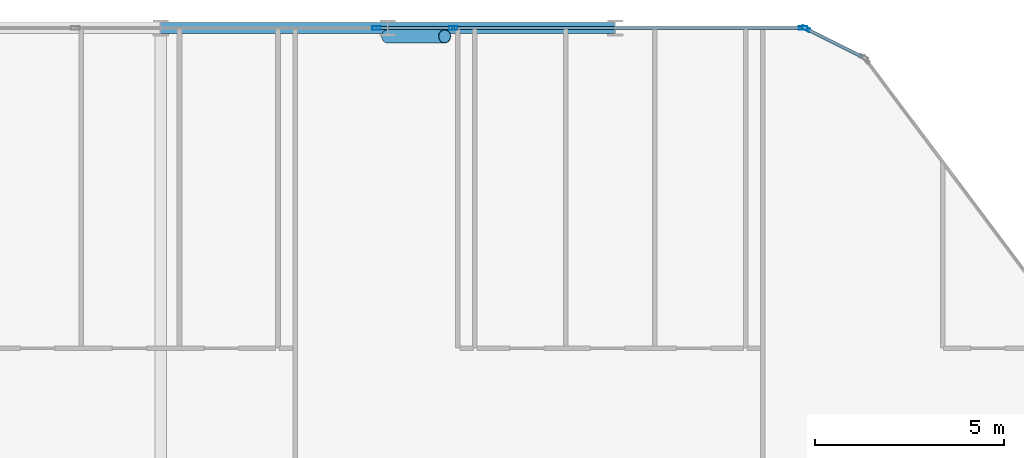
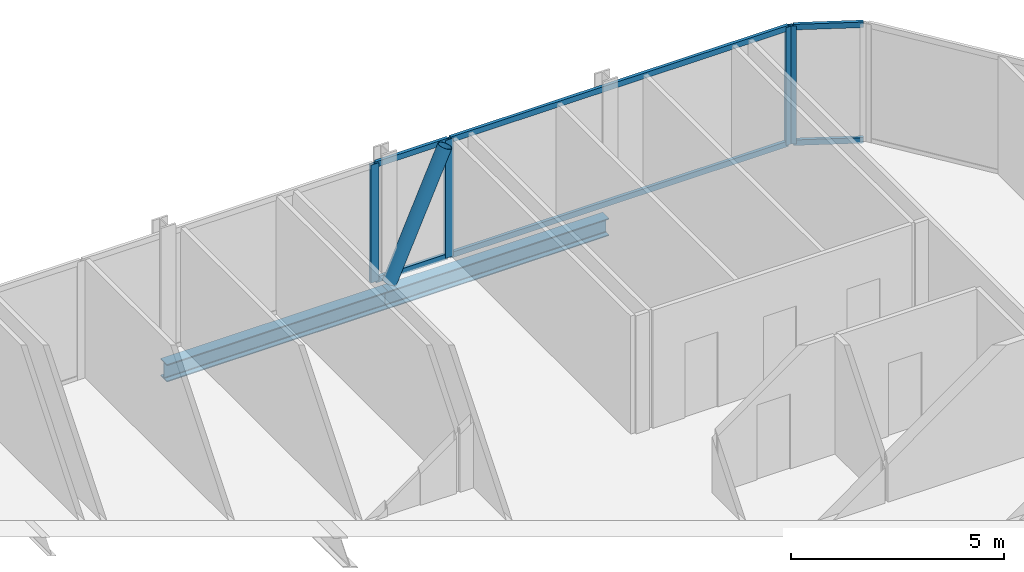
# One storey, part 16 of 33: 11 members, 2 beams, 4 elements without a shape of their own.
"""IFC4 building model written with IfcOpenShell, lengths in metres."""

import ifcopenshell
import ifcopenshell.guid

model = None  # the IFC model being written
_history = None  # IfcOwnerHistory: only IFC2X3 demands one
_inside = {}  # id of a spatial element -> (the spatial element, [elements in it])
_under = {}  # id of a project, library or spatial element -> (it, [spatial elements below it])
_declared = {}  # id of a project -> (the project, [libraries it declares])
_typed = {}  # id of a type object -> (the type object, [elements of that type])
_made_of = {}  # id of a material, layer set ... -> (it, [elements and type objects made of it])


def new_model(schema):
    """Start an empty IFC model of exactly this schema.

    Asked for "IFC4X3", IfcOpenShell would pick the latest addendum, in which some entities
    have other attributes; the version numbers below select the first issue.
    IFC2X3 requires an IfcOwnerHistory on every rooted entity: one is made here for all.
    """
    global model, _history
    if schema == "IFC4X3":
        model = ifcopenshell.file(schema_version=(4, 3, 0, 0))
    else:
        model = ifcopenshell.file(schema=schema)
    _inside.clear()
    _under.clear()
    _declared.clear()
    _typed.clear()
    _made_of.clear()
    _history = None
    if model.schema == "IFC2X3":
        org = make("IfcOrganization", Name="unknown")
        user = make(
            "IfcPersonAndOrganization",
            ThePerson=make("IfcPerson", FamilyName="unknown"),
            TheOrganization=org,
        )
        app = make(
            "IfcApplication",
            ApplicationDeveloper=org,
            Version="unknown",
            ApplicationFullName="unknown",
            ApplicationIdentifier="unknown",
        )
        _history = make(
            "IfcOwnerHistory",
            OwningUser=user,
            OwningApplication=app,
            ChangeAction="ADDED",
            CreationDate=0,
        )
    return model


def make(cls, **values):
    """One entity of the class cls with the attributes given. An attribute that is None is left unset."""
    return model.create_entity(
        cls, **{name: value for name, value in values.items() if value is not None}
    )


def rooted(cls, **values):
    """An entity with a GlobalId (a new one), such as an element, a storey or a relation."""
    return make(cls, GlobalId=ifcopenshell.guid.new(), OwnerHistory=_history, **values)


def si_unit(unit_type, name, prefix=None):
    """IfcSIUnit, for example si_unit("LENGTHUNIT", "METRE", prefix="MILLI")."""
    return make("IfcSIUnit", UnitType=unit_type, Prefix=prefix, Name=name)


def assignment(units):
    """IfcUnitAssignment: the units of a project."""
    return None if units is None else make("IfcUnitAssignment", Units=units)


def point(xyz):
    """IfcCartesianPoint."""
    return None if xyz is None else make("IfcCartesianPoint", Coordinates=xyz)


def direction(xyz):
    """IfcDirection."""
    return None if xyz is None else make("IfcDirection", DirectionRatios=xyz)


def frame(location, z_axis=None, x_axis=None):
    """IfcAxis2Placement3D, a coordinate frame: its origin and axes. An axis left out is left unset."""
    return make(
        "IfcAxis2Placement3D",
        Location=point(location),
        Axis=direction(z_axis),
        RefDirection=direction(x_axis),
    )


def frame_2d(location, x_axis=None):
    """IfcAxis2Placement2D, a coordinate frame in the plane: its origin and x axis."""
    return make(
        "IfcAxis2Placement2D", Location=point(location), RefDirection=direction(x_axis)
    )


def origin():
    """The frame at (0, 0, 0) with its axes left unset."""
    return frame((0.0, 0.0, 0.0))


def origin_2d():
    """The frame at (0, 0) in the plane with its x axis left unset."""
    return frame_2d((0.0, 0.0))


def place(relative_to, where):
    """IfcLocalPlacement: puts the frame where relative to a parent placement (None: the world)."""
    return make(
        "IfcLocalPlacement", PlacementRelTo=relative_to, RelativePlacement=where
    )


def context(
    kind, dimensions, precision=None, world=None, true_north=None, identifier=None
):
    """IfcGeometricRepresentationContext, for example the 3D "Model" context."""
    return make(
        "IfcGeometricRepresentationContext",
        ContextIdentifier=identifier,
        ContextType=kind,
        CoordinateSpaceDimension=dimensions,
        Precision=precision,
        WorldCoordinateSystem=world,
        TrueNorth=true_north,
    )


def subcontext(parent, identifier, kind, view, scale=None):
    """IfcGeometricRepresentationSubContext, for example "Body" below "Model"."""
    return make(
        "IfcGeometricRepresentationSubContext",
        ContextIdentifier=identifier,
        ContextType=kind,
        ParentContext=parent,
        TargetScale=scale,
        TargetView=view,
    )


def project(units=None, contexts=None):
    """IfcProject with its units and contexts."""
    return rooted(
        "IfcProject",
        Name="project",
        RepresentationContexts=contexts,
        UnitsInContext=assignment(units),
    )


def spatial(cls, under=None, at=None, **own):
    """A site, building, storey or space (cls), placed at a placement, below another one or the project."""
    s = rooted(cls, ObjectPlacement=at, **own)
    if under is not None:
        _under.setdefault(under.id(), (under, []))[1].append(s)
    return s


def profile(cls, at=None, kind="AREA", **sizes):
    """A parametric profile (cls). Its sizes go by their IFC names, for example OverallWidth=200.0."""
    return make(cls, ProfileType=kind, Position=at, **sizes)


def hollow_rectangle(**sizes):
    """IfcRectangleHollowProfileDef."""
    return profile("IfcRectangleHollowProfileDef", **sizes)


def hollow_circle(**sizes):
    """IfcCircleHollowProfileDef."""
    return profile("IfcCircleHollowProfileDef", **sizes)


def i_section(**sizes):
    """IfcIShapeProfileDef."""
    return profile("IfcIShapeProfileDef", **sizes)


def extrude(swept, where, along, depth):
    """IfcExtrudedAreaSolid: the profile swept, set in the frame where, extruded along a direction by depth."""
    return make(
        "IfcExtrudedAreaSolid",
        SweptArea=swept,
        Position=where,
        ExtrudedDirection=direction(along),
        Depth=depth,
    )


def shape(context_of_items, identifier, shape_type, items):
    """IfcShapeRepresentation: the items that make up one representation, for example the "Body"."""
    return make(
        "IfcShapeRepresentation",
        ContextOfItems=context_of_items,
        RepresentationIdentifier=identifier,
        RepresentationType=shape_type,
        Items=items,
    )


def material(Name=None, Category=None):
    """IfcMaterial."""
    return make("IfcMaterial", Name=Name, Category=Category)


def layer(
    of_material, thickness, ventilated=None, Name=None, Category=None, Priority=None
):
    """IfcMaterialLayer: one layer of a wall or slab, of a material (None: an air gap)."""
    return make(
        "IfcMaterialLayer",
        Material=of_material,
        LayerThickness=thickness,
        IsVentilated=ventilated,
        Name=Name,
        Category=Category,
        Priority=Priority,
    )


def layer_set(layers, Name=None):
    """IfcMaterialLayerSet."""
    return make("IfcMaterialLayerSet", MaterialLayers=layers, LayerSetName=Name)


def material_profile(
    of_material, cross_section, Name=None, Category=None, Priority=None
):
    """IfcMaterialProfile: a cross section and its material."""
    return make(
        "IfcMaterialProfile",
        Name=Name,
        Material=of_material,
        Profile=cross_section,
        Priority=Priority,
        Category=Category,
    )


def profile_set(profiles, Name=None, composite=None):
    """IfcMaterialProfileSet."""
    return make(
        "IfcMaterialProfileSet",
        Name=Name,
        MaterialProfiles=profiles,
        CompositeProfile=composite,
    )


def made_of(thing, what):
    """Note that an element or type object is made of a material, layer set ...; save() writes the relation."""
    if what is not None:
        _made_of.setdefault(what.id(), (what, []))[1].append(thing)
    return thing


def type_object(cls, material=None, **own):
    """A type object (cls), such as IfcWallType, which elements share."""
    return made_of(rooted(cls, **own), material)


def element(
    cls,
    number,
    at=None,
    inside=None,
    cuts=None,
    type_object=None,
    material=None,
    context=None,
    identifier="Body",
    shape_type=None,
    held_by="IfcProductDefinitionShape",
    body=None,
    shapes=None,
    **own,
):
    """One element of the class cls, such as IfcWall. Its Tag is "e" and its number.

    at: its placement. inside: the storey or other place that contains it. cuts: it is an
    opening in that element (IfcRelVoidsElement). A single representation is given by context,
    identifier, shape_type and body (its items); several are given by shapes. held_by: the class
    of the entity that holds the representations. save() writes the other relations.
    """
    e = rooted(cls, Tag="e%d" % number, ObjectPlacement=at, **own)
    if body is not None:
        shapes = [shape(context, identifier, shape_type, body)]
    if shapes is not None:
        e.Representation = make(held_by, Representations=shapes)
    if inside is not None:
        _inside.setdefault(inside.id(), (inside, []))[1].append(e)
    if cuts is not None:
        rooted(
            "IfcRelVoidsElement", RelatingBuildingElement=cuts, RelatedOpeningElement=e
        )
    if type_object is not None:
        _typed.setdefault(type_object.id(), (type_object, []))[1].append(e)
    return made_of(e, material)


def aggregate(whole, parts):
    """IfcRelAggregates: a whole, such as a stair, and the parts it consists of."""
    return rooted("IfcRelAggregates", RelatingObject=whole, RelatedObjects=parts)


def save(model, path):
    """Write the relations noted so far, then the file.

    IfcRelAggregates (storeys below a building ...), IfcRelContainedInSpatialStructure (elements
    in a storey), IfcRelDefinesByType, IfcRelAssociatesMaterial and IfcRelDeclares: one each for
    every whole, place, type object, material and project.
    """
    for whole, parts in _under.values():
        aggregate(whole, parts)
    for where, things in _inside.values():
        rooted(
            "IfcRelContainedInSpatialStructure",
            RelatedElements=things,
            RelatingStructure=where,
        )
    for kind, things in _typed.values():
        rooted("IfcRelDefinesByType", RelatedObjects=things, RelatingType=kind)
    for what, things in _made_of.values():
        rooted("IfcRelAssociatesMaterial", RelatedObjects=things, RelatingMaterial=what)
    for by, libraries in _declared.values():
        rooted("IfcRelDeclares", RelatingContext=by, RelatedDefinitions=libraries)
    model.write(path)


model = new_model("IFC4")

# Units and contexts
model_context = context("Model", 3, precision=1e-05, world=origin(), true_north=direction((0.0, 1.0)))
body_context = subcontext(model_context, "Body", "Model", "MODEL_VIEW")
ifc_project = project(units=[si_unit("LENGTHUNIT", "METRE"), si_unit("AREAUNIT", "SQUARE_METRE"), si_unit("VOLUMEUNIT", "CUBIC_METRE"), si_unit("PLANEANGLEUNIT", "RADIAN"), si_unit("MASSUNIT", "GRAM", prefix="KILO")], contexts=[model_context])

# Site, building, storey
site_placement = place(None, origin())
site = spatial("IfcSite", under=ifc_project, at=site_placement, CompositionType="ELEMENT")
building_placement = place(site_placement, origin())
building = spatial("IfcBuilding", under=site, at=building_placement, Name="Keshet Zoharim Tower", CompositionType="ELEMENT")
storey_placement = place(building_placement, frame((0.0, 0.0, 42.5)))
storey = spatial("IfcBuildingStorey", under=building, at=storey_placement, Name="L09", CompositionType="ELEMENT", Elevation=42.5)

# Beams
ifc_material_1 = material(Name="Steel S355", Category="steel")
ifc_material_profile_1 = material_profile(ifc_material_1, i_section(OverallWidth=0.300048828125, OverallDepth=0.5, WebThickness=0.014404296875, FlangeThickness=0.028076171875, FilletRadius=0.027099609375, at=origin_2d()), Name="HEB500")
ifc_profile_set_1 = profile_set([ifc_material_profile_1], Name="Steel S355")
beam_type = type_object("IfcBeamType", Name="BM-WEB-HB500", PredefinedType="BEAM", material=ifc_profile_set_1)
for number, where, z_axis, x_axis, name in (
    (1, (33.0, 53.89990234375, -0.56494140625), (1.0, 0.0, 0.0), (0.0, 1.0, 0.0), "L09 Primary Girder X-031"),
    (2, (39.0, 53.89990234375, -0.56494140625), (1.0, 0.0, 0.0), (0.0, 1.0, 0.0), "L09 Primary Girder X-032"),
):
    element("IfcBeam", number, at=place(storey_placement, frame(where, z_axis=z_axis, x_axis=x_axis)), inside=storey, type_object=beam_type, Name=name, PredefinedType="BEAM", context=body_context, shape_type="SweptSolid", body=[
        extrude(i_section(OverallWidth=0.300048828125, OverallDepth=0.5, WebThickness=0.014404296875, FlangeThickness=0.028076171875, FilletRadius=0.027099609375, at=origin_2d()), origin(), (0.0, 0.0, 1.0), 6.0),
    ])

# Curtain wall, member
ifc_material_2 = material(Name="Aluminium 6063-T6", Category="aluminium")
ifc_layer = layer(ifc_material_2, 0.169921875)
ifc_layer_set = layer_set([ifc_layer], Name="Aluminium 6063-T6")
curtain_wall_type = type_object("IfcCurtainWallType", Name="CW-SYS-02", PredefinedType="NOTDEFINED", material=ifc_layer_set)
curtain_wall_1_placement = place(storey_placement, origin())
curtain_wall_1 = element("IfcCurtainWall", 3, at=curtain_wall_1_placement, inside=storey, type_object=curtain_wall_type, Name="L09 Unitised Curtain Wall 07 Part 3", PredefinedType="NOTDEFINED")
ifc_material_profile_2 = material_profile(ifc_material_2, hollow_rectangle(XDim=0.090087890625, YDim=0.219970703125, WallThickness=0.0048828125, at=origin_2d()), Name="MUL-90x220")
ifc_profile_set_2 = profile_set([ifc_material_profile_2], Name="Aluminium 6063-T6")
member_type_1 = type_object("IfcMemberType", Name="CWM-M22", PredefinedType="MULLION", material=ifc_profile_set_2)
member_1_placement = place(storey_placement, frame((38.702392578125, 53.89990234375, 0.0), z_axis=(0.0, 0.0, 1.0), x_axis=(0.0, 1.0, 0.0)))
member_1 = element("IfcMember", 4, at=member_1_placement, type_object=member_type_1, Name="CW-02 mullion 3", PredefinedType="MULLION", context=body_context, shape_type="SweptSolid", body=[
    extrude(hollow_rectangle(XDim=0.090087890625, YDim=0.219970703125, WallThickness=0.0048828125, at=origin_2d()), origin(), (0.0, 0.0, 1.0), 3.385009765625),
])
aggregate(curtain_wall_1, [member_1])

curtain_wall_2_placement = place(storey_placement, origin())
curtain_wall_2 = element("IfcCurtainWall", 5, at=curtain_wall_2_placement, inside=storey, type_object=curtain_wall_type, Name="L09 Unitised Curtain Wall 07 Part 4", PredefinedType="NOTDEFINED")
member_2_placement = place(storey_placement, frame((40.7275390625, 53.89990234375, 0.0), z_axis=(0.0, 0.0, 1.0), x_axis=(0.0, 1.0, 0.0)))
member_2 = element("IfcMember", 6, at=member_2_placement, type_object=member_type_1, Name="CW-02 mullion 2", PredefinedType="MULLION", context=body_context, shape_type="SweptSolid", body=[
    extrude(hollow_rectangle(XDim=0.090087890625, YDim=0.219970703125, WallThickness=0.0048828125, at=origin_2d()), origin(), (0.0, 0.0, 1.0), 3.385009765625),
])

curtain_wall_3_placement = place(storey_placement, origin())
curtain_wall_3 = element("IfcCurtainWall", 7, at=curtain_wall_3_placement, inside=storey, type_object=curtain_wall_type, Name="L09 Unitised Curtain Wall 07 Part 5", PredefinedType="NOTDEFINED")
member_3_placement = place(storey_placement, frame((49.965087890625, 53.89990234375, 0.0), z_axis=(0.0, 0.0, 1.0), x_axis=(0.0, 1.0, 0.0)))
member_3 = element("IfcMember", 8, at=member_3_placement, type_object=member_type_1, Name="CW-02 mullion 2", PredefinedType="MULLION", context=body_context, shape_type="SweptSolid", body=[
    extrude(hollow_rectangle(XDim=0.090087890625, YDim=0.219970703125, WallThickness=0.0048828125, at=origin_2d()), origin(), (0.0, 0.0, 1.0), 3.385009765625),
])

curtain_wall_4_placement = place(storey_placement, origin())
curtain_wall_4 = element("IfcCurtainWall", 9, at=curtain_wall_4_placement, inside=storey, type_object=curtain_wall_type, Name="L09 Unitised Curtain Wall 08", PredefinedType="NOTDEFINED")
member_4_placement = place(storey_placement, frame((50.03125, 53.88427734375, 0.0), z_axis=(0.0, 0.0, 1.0), x_axis=(0.447213595499, 0.894427191001, 0.0)))
member_4 = element("IfcMember", 10, at=member_4_placement, type_object=member_type_1, Name="CW-02 mullion 1", PredefinedType="MULLION", context=body_context, shape_type="SweptSolid", body=[
    extrude(hollow_rectangle(XDim=0.090087890625, YDim=0.219970703125, WallThickness=0.0048828125, at=origin_2d()), origin(), (0.0, 0.0, 1.0), 3.385009765625),
])

# Member
ifc_material_profile_3 = material_profile(ifc_material_2, hollow_rectangle(XDim=0.0849609375, YDim=0.159912109375, WallThickness=0.00439453125, at=origin_2d()), Name="TRN-85x160")
ifc_profile_set_3 = profile_set([ifc_material_profile_3], Name="Aluminium 6063-T6")
member_type_2 = type_object("IfcMemberType", Name="CWT-T16", PredefinedType="USERDEFINED", material=ifc_profile_set_3)
member_5_placement = place(storey_placement, frame((38.7373046875, 53.89990234375, 0.034912109375), z_axis=(1.0, 0.0, 0.0), x_axis=(0.0, 1.0, 0.0)))
member_5 = element("IfcMember", 11, at=member_5_placement, type_object=member_type_2, Name="CW-02 transom 1.1", ObjectType="TRANSOM", PredefinedType="USERDEFINED", context=body_context, shape_type="SweptSolid", body=[
    extrude(hollow_rectangle(XDim=0.0849609375, YDim=0.159912109375, WallThickness=0.00439453125, at=origin_2d()), origin(), (0.0, 0.0, 1.0), 1.955322265625),
])

member_6_placement = place(storey_placement, frame((38.7373046875, 53.89990234375, 3.35009765625), z_axis=(1.0, 0.0, 0.0), x_axis=(0.0, 1.0, 0.0)))
member_6 = element("IfcMember", 12, at=member_6_placement, type_object=member_type_2, Name="CW-02 transom 1.2", ObjectType="TRANSOM", PredefinedType="USERDEFINED", context=body_context, shape_type="SweptSolid", body=[
    extrude(hollow_rectangle(XDim=0.0849609375, YDim=0.159912109375, WallThickness=0.00439453125, at=origin_2d()), origin(), (0.0, 0.0, 1.0), 1.955322265625),
])

aggregate(curtain_wall_2, [member_2, member_5, member_6])

member_7_placement = place(storey_placement, frame((40.7626953125, 53.89990234375, 0.034912109375), z_axis=(1.0, 0.0, 0.0), x_axis=(0.0, 1.0, 0.0)))
member_7 = element("IfcMember", 13, at=member_7_placement, type_object=member_type_2, Name="CW-02 transom 1.1", ObjectType="TRANSOM", PredefinedType="USERDEFINED", context=body_context, shape_type="SweptSolid", body=[
    extrude(hollow_rectangle(XDim=0.0849609375, YDim=0.159912109375, WallThickness=0.00439453125, at=origin_2d()), origin(), (0.0, 0.0, 1.0), 9.167236328125),
])

member_8_placement = place(storey_placement, frame((40.7626953125, 53.89990234375, 3.35009765625), z_axis=(1.0, 0.0, 0.0), x_axis=(0.0, 1.0, 0.0)))
member_8 = element("IfcMember", 14, at=member_8_placement, type_object=member_type_2, Name="CW-02 transom 1.2", ObjectType="TRANSOM", PredefinedType="USERDEFINED", context=body_context, shape_type="SweptSolid", body=[
    extrude(hollow_rectangle(XDim=0.0849609375, YDim=0.159912109375, WallThickness=0.00439453125, at=origin_2d()), origin(), (0.0, 0.0, 1.0), 9.167236328125),
])

aggregate(curtain_wall_3, [member_3, member_7, member_8])

member_9_placement = place(storey_placement, frame((50.0625, 53.86865234375, 0.034912109375), z_axis=(0.894456801911, -0.447154368775, 0.0), x_axis=(0.447154368775, 0.894456801911, 0.0)))
member_9 = element("IfcMember", 15, at=member_9_placement, type_object=member_type_2, Name="CW-02 transom 1.1", ObjectType="TRANSOM", PredefinedType="USERDEFINED", context=body_context, shape_type="SweptSolid", body=[
    extrude(hollow_rectangle(XDim=0.0849609375, YDim=0.159912109375, WallThickness=0.00439453125, at=origin_2d()), origin(), (0.0, 0.0, 1.0), 1.64892578125),
])

member_10_placement = place(storey_placement, frame((50.0625, 53.86865234375, 3.35009765625), z_axis=(0.894456801911, -0.447154368775, 0.0), x_axis=(0.447154368775, 0.894456801911, 0.0)))
member_10 = element("IfcMember", 16, at=member_10_placement, type_object=member_type_2, Name="CW-02 transom 1.2", ObjectType="TRANSOM", PredefinedType="USERDEFINED", context=body_context, shape_type="SweptSolid", body=[
    extrude(hollow_rectangle(XDim=0.0849609375, YDim=0.159912109375, WallThickness=0.00439453125, at=origin_2d()), origin(), (0.0, 0.0, 1.0), 1.64892578125),
])

aggregate(curtain_wall_4, [member_4, member_9, member_10])

ifc_material_profile_4 = material_profile(ifc_material_1, hollow_circle(Radius=0.177734375, WallThickness=0.012451171875, at=origin_2d()), Name="CHS355x12.5")
ifc_profile_set_4 = profile_set([ifc_material_profile_4], Name="Steel S355")
member_type_3 = type_object("IfcMemberType", Name="MB-BR-C355", PredefinedType="BRACE", material=ifc_profile_set_4)
member_11_placement = place(storey_placement, frame((39.0, 53.679931640625, 0.0), z_axis=(0.405134846829, 0.0, 0.91425694194), x_axis=(0.0, 1.0, 0.0)))
element("IfcMember", 17, at=member_11_placement, inside=storey, type_object=member_type_3, Name="L09 Perimeter Tube Brace 04", PredefinedType="BRACE", context=body_context, shape_type="SweptSolid", body=[
    extrude(hollow_circle(Radius=0.177734375, WallThickness=0.012451171875, at=origin_2d()), origin(), (0.0, 0.0, 1.0), 3.702392578125),
])

save(model, "model.ifc")
